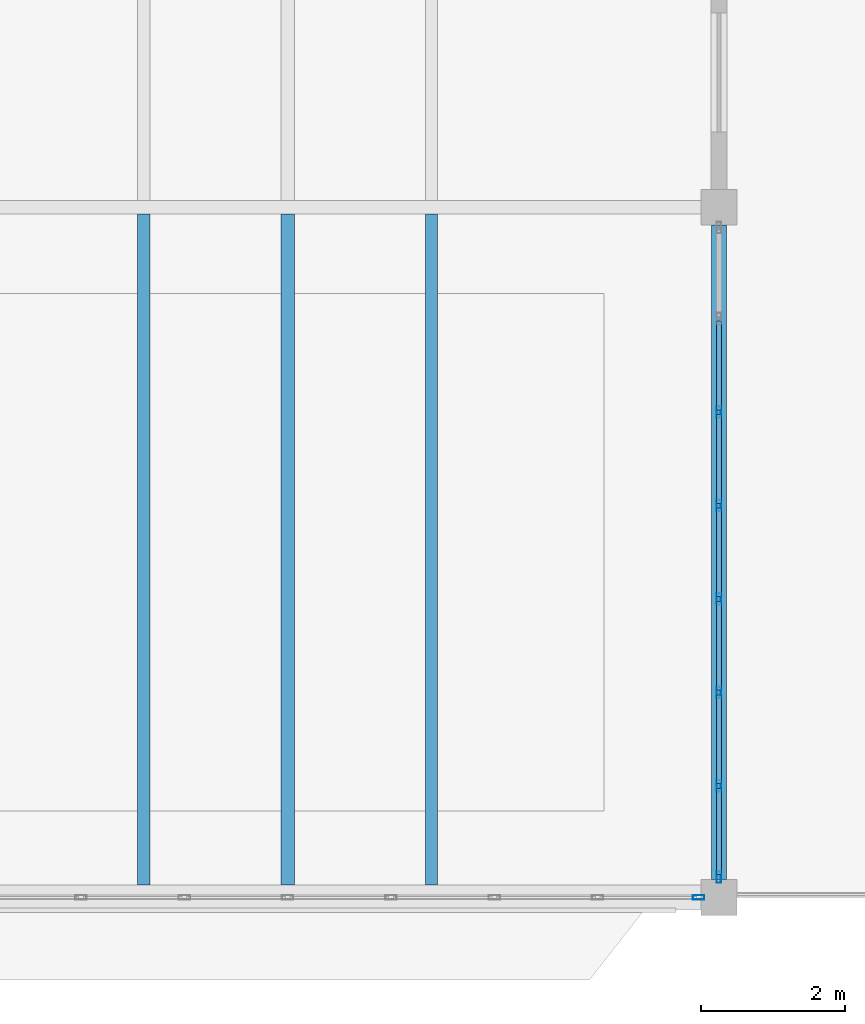
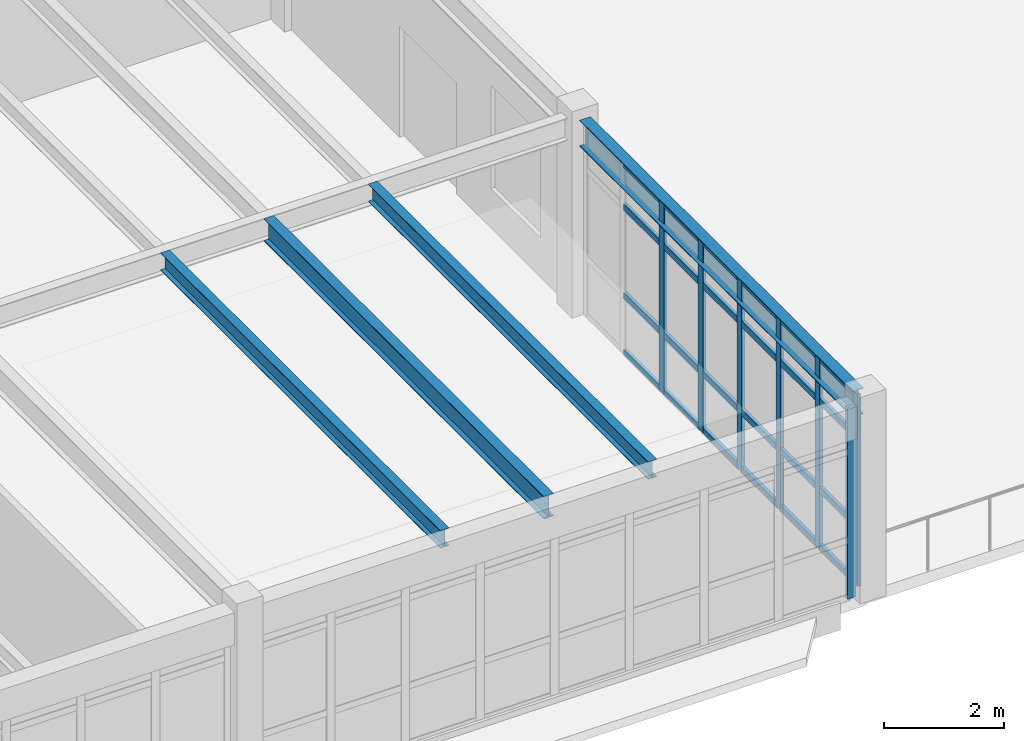
# One storey, part 12 of 83: 31 members, 4 beams, 2 elements without a shape of their own.
"""IFC4 building model written with IfcOpenShell, lengths in metres."""

from ifc_helpers import new_model, si_unit, direction, frame, origin, origin_2d, place, context, subcontext, project, spatial, hollow_rectangle, i_section, extrude, material, layer, layer_set, material_profile, profile_set, type_object, element, aggregate, save


model = new_model("IFC4")

# Units and contexts
model_context = context("Model", 3, precision=1e-05, world=origin(), true_north=direction((0.0, 1.0)))
body_context = subcontext(model_context, "Body", "Model", "MODEL_VIEW")
ifc_project = project(units=[si_unit("LENGTHUNIT", "METRE"), si_unit("AREAUNIT", "SQUARE_METRE"), si_unit("VOLUMEUNIT", "CUBIC_METRE"), si_unit("PLANEANGLEUNIT", "RADIAN"), si_unit("MASSUNIT", "GRAM", prefix="KILO")], contexts=[model_context])

# Site, building, storey
site_placement = place(None, origin())
site = spatial("IfcSite", under=ifc_project, at=site_placement, CompositionType="ELEMENT")
building_placement = place(site_placement, origin())
building = spatial("IfcBuilding", under=site, at=building_placement, Name="Pandanus Reach Market Hall", CompositionType="ELEMENT")
storey_placement = place(building_placement, frame((0.0, 0.0, 10.199951171875)))
storey = spatial("IfcBuildingStorey", under=building, at=storey_placement, Name="L02", CompositionType="ELEMENT", Elevation=10.199951171875)

# Beams
ifc_material_1 = material(Name="Steel Grade 350 (350 MPa)", Category="steel")
ifc_material_profile_1 = material_profile(ifc_material_1, i_section(OverallWidth=0.18994140625, OverallDepth=0.45703125, WebThickness=0.009033203125, FlangeThickness=0.014404296875, at=origin_2d()), Name="460UB74.6", Category="LoadBearing")
ifc_profile_set_1 = profile_set([ifc_material_profile_1], Name="Steel Grade 350 (350 MPa)")
beam_type_1 = type_object("IfcBeamType", Name="BM-UB460-I", PredefinedType="BEAM", material=ifc_profile_set_1)
beam_1_placement = place(storey_placement, frame((18.0, 0.173095703125, 3.75), z_axis=(0.0, 1.0, 0.0), x_axis=(-1.0, 0.0, 0.0)))
element("IfcBeam", 1, at=beam_1_placement, inside=storey, type_object=beam_type_1, Name="Food court valley beam B2.0", PredefinedType="BEAM", context=body_context, shape_type="SweptSolid", body=[
    extrude(i_section(OverallWidth=0.18994140625, OverallDepth=0.45703125, WebThickness=0.009033203125, FlangeThickness=0.014404296875, at=origin_2d()), origin(), (0.0, 0.0, 1.0), 9.333984375),
])
ifc_material_profile_2 = material_profile(ifc_material_1, i_section(OverallWidth=0.208984375, OverallDepth=0.532958984375, WebThickness=0.01025390625, FlangeThickness=0.015625, at=origin_2d()), Name="530UB92.4", Category="LoadBearing")
ifc_profile_set_2 = profile_set([ifc_material_profile_2], Name="Steel Grade 350 (350 MPa)")
beam_type_2 = type_object("IfcBeamType", Name="BM-UB530-I", PredefinedType="BEAM", material=ifc_profile_set_2)
beam_2_placement = place(storey_placement, frame((24.0, 0.248046875, 3.713134765625), z_axis=(0.0, 1.0, 0.0), x_axis=(-1.0, 0.0, 0.0)))
element("IfcBeam", 2, at=beam_2_placement, inside=storey, type_object=beam_type_2, Name="Framing beam BM-UB530-I L02.1025", PredefinedType="BEAM", context=body_context, shape_type="SweptSolid", body=[
    extrude(i_section(OverallWidth=0.208984375, OverallDepth=0.532958984375, WebThickness=0.01025390625, FlangeThickness=0.015625, at=origin_2d()), origin(), (0.0, 0.0, 1.0), 9.10400390625),
])

# Curtain wall, member
ifc_material_2 = material(Name="Bronze anodised aluminium and low-E glass", Category="aluminium")
ifc_layer_1 = layer(ifc_material_2, 0.159912109375, Name="CW-21")
ifc_layer_set_1 = layer_set([ifc_layer_1], Name="Bronze anodised aluminium and low-E glass")
curtain_wall_type_1 = type_object("IfcCurtainWallType", Name="CW-21", PredefinedType="NOTDEFINED", material=ifc_layer_set_1)
curtain_wall_1_placement = place(storey_placement, origin())
curtain_wall_1 = element("IfcCurtainWall", 3, at=curtain_wall_1_placement, inside=storey, type_object=curtain_wall_type_1, Name="Glazed curtain wall CW-21 CW-0064", PredefinedType="NOTDEFINED")
ifc_material_3 = material(Name="Bronze anodised aluminium", Category="aluminium")
ifc_material_profile_3 = material_profile(ifc_material_3, hollow_rectangle(XDim=0.06494140625, YDim=0.159912109375, WallThickness=0.00390625, at=origin_2d()), Name="ALU65x160", Category="LoadBearing")
ifc_profile_set_3 = profile_set([ifc_material_profile_3], Name="Bronze anodised aluminium")
member_type_1 = type_object("IfcMemberType", Name="CW-M1", PredefinedType="MULLION", material=ifc_profile_set_3)
member_1_placement = place(storey_placement, frame((23.717529296875, 0.0, 0.0), z_axis=(0.0, 0.0, 1.0), x_axis=(0.0, 1.0, 0.0)))
member_1 = element("IfcMember", 4, at=member_1_placement, type_object=member_type_1, Name="CW-21 mullion 9", PredefinedType="MULLION", context=body_context, shape_type="SweptSolid", body=[
    extrude(hollow_rectangle(XDim=0.06494140625, YDim=0.159912109375, WallThickness=0.00390625, at=origin_2d()), origin(), (0.0, 0.0, 1.0), 3.900146484375),
])
aggregate(curtain_wall_1, [member_1])

# Curtain wall, members
ifc_layer_2 = layer(ifc_material_2, 0.159912109375, Name="CW-24")
ifc_layer_set_2 = layer_set([ifc_layer_2], Name="Bronze anodised aluminium and low-E glass")
curtain_wall_type_2 = type_object("IfcCurtainWallType", Name="CW-24", PredefinedType="NOTDEFINED", material=ifc_layer_set_2)
curtain_wall_2_placement = place(storey_placement, origin())
curtain_wall_2 = element("IfcCurtainWall", 5, at=curtain_wall_2_placement, inside=storey, type_object=curtain_wall_type_2, Name="Glazed curtain wall CW-24 CW-0068", PredefinedType="NOTDEFINED")
member_2_placement = place(storey_placement, frame((24.0, 0.282470703125, 0.0), z_axis=(0.0, 0.0, 1.0), x_axis=(-1.0, 0.0, 0.0)))
member_2 = element("IfcMember", 6, at=member_2_placement, type_object=member_type_1, Name="CW-24 mullion 1", PredefinedType="MULLION", context=body_context, shape_type="SweptSolid", body=[
    extrude(hollow_rectangle(XDim=0.06494140625, YDim=0.159912109375, WallThickness=0.00390625, at=origin_2d()), origin(), (0.0, 0.0, 1.0), 3.900146484375),
])
member_3_placement = place(storey_placement, frame((24.0, 1.550048828125, 0.0), z_axis=(0.0, 0.0, 1.0), x_axis=(-1.0, 0.0, 0.0)))
member_3 = element("IfcMember", 7, at=member_3_placement, type_object=member_type_1, Name="CW-24 mullion 2", PredefinedType="MULLION", context=body_context, shape_type="SweptSolid", body=[
    extrude(hollow_rectangle(XDim=0.06494140625, YDim=0.159912109375, WallThickness=0.00390625, at=origin_2d()), origin(), (0.0, 0.0, 1.0), 3.900146484375),
])
member_4_placement = place(storey_placement, frame((24.0, 2.85009765625, 0.0), z_axis=(0.0, 0.0, 1.0), x_axis=(-1.0, 0.0, 0.0)))
member_4 = element("IfcMember", 8, at=member_4_placement, type_object=member_type_1, Name="CW-24 mullion 3", PredefinedType="MULLION", context=body_context, shape_type="SweptSolid", body=[
    extrude(hollow_rectangle(XDim=0.06494140625, YDim=0.159912109375, WallThickness=0.00390625, at=origin_2d()), origin(), (0.0, 0.0, 1.0), 3.900146484375),
])
member_5_placement = place(storey_placement, frame((24.0, 4.14990234375, 0.0), z_axis=(0.0, 0.0, 1.0), x_axis=(-1.0, 0.0, 0.0)))
member_5 = element("IfcMember", 9, at=member_5_placement, type_object=member_type_1, Name="CW-24 mullion 4", PredefinedType="MULLION", context=body_context, shape_type="SweptSolid", body=[
    extrude(hollow_rectangle(XDim=0.06494140625, YDim=0.159912109375, WallThickness=0.00390625, at=origin_2d()), origin(), (0.0, 0.0, 1.0), 3.900146484375),
])
member_6_placement = place(storey_placement, frame((24.0, 5.449951171875, 0.0), z_axis=(0.0, 0.0, 1.0), x_axis=(-1.0, 0.0, 0.0)))
member_6 = element("IfcMember", 10, at=member_6_placement, type_object=member_type_1, Name="CW-24 mullion 5", PredefinedType="MULLION", context=body_context, shape_type="SweptSolid", body=[
    extrude(hollow_rectangle(XDim=0.06494140625, YDim=0.159912109375, WallThickness=0.00390625, at=origin_2d()), origin(), (0.0, 0.0, 1.0), 3.900146484375),
])
member_7_placement = place(storey_placement, frame((24.0, 6.75, 0.0), z_axis=(0.0, 0.0, 1.0), x_axis=(-1.0, 0.0, 0.0)))
member_7 = element("IfcMember", 11, at=member_7_placement, type_object=member_type_1, Name="CW-24 mullion 6", PredefinedType="MULLION", context=body_context, shape_type="SweptSolid", body=[
    extrude(hollow_rectangle(XDim=0.06494140625, YDim=0.159912109375, WallThickness=0.00390625, at=origin_2d()), origin(), (0.0, 0.0, 1.0), 3.900146484375),
])
ifc_material_profile_4 = material_profile(ifc_material_3, hollow_rectangle(XDim=0.06494140625, YDim=0.1298828125, WallThickness=0.00390625, at=origin_2d()), Name="ALU65x130", Category="LoadBearing")
ifc_profile_set_4 = profile_set([ifc_material_profile_4], Name="Bronze anodised aluminium")
member_type_2 = type_object("IfcMemberType", Name="CW-T1", PredefinedType="USERDEFINED", material=ifc_profile_set_4)
member_8_placement = place(storey_placement, frame((24.0, 0.31494140625, 0.032470703125), z_axis=(0.0, 1.0, 0.0), x_axis=(-1.0, 0.0, 0.0)))
member_8 = element("IfcMember", 12, at=member_8_placement, type_object=member_type_2, Name="CW-24 transom 1.1", ObjectType="TRANSOM", PredefinedType="USERDEFINED", context=body_context, shape_type="SweptSolid", body=[
    extrude(hollow_rectangle(XDim=0.06494140625, YDim=0.1298828125, WallThickness=0.00390625, at=origin_2d()), origin(), (0.0, 0.0, 1.0), 1.20263671875),
])
member_9_placement = place(storey_placement, frame((24.0, 0.31494140625, 1.199951171875), z_axis=(0.0, 1.0, 0.0), x_axis=(-1.0, 0.0, 0.0)))
member_9 = element("IfcMember", 13, at=member_9_placement, type_object=member_type_2, Name="CW-24 transom 1.2", ObjectType="TRANSOM", PredefinedType="USERDEFINED", context=body_context, shape_type="SweptSolid", body=[
    extrude(hollow_rectangle(XDim=0.06494140625, YDim=0.1298828125, WallThickness=0.00390625, at=origin_2d()), origin(), (0.0, 0.0, 1.0), 1.20263671875),
])
member_10_placement = place(storey_placement, frame((24.0, 0.31494140625, 3.0), z_axis=(0.0, 1.0, 0.0), x_axis=(-1.0, 0.0, 0.0)))
member_10 = element("IfcMember", 14, at=member_10_placement, type_object=member_type_2, Name="CW-24 transom 1.3", ObjectType="TRANSOM", PredefinedType="USERDEFINED", context=body_context, shape_type="SweptSolid", body=[
    extrude(hollow_rectangle(XDim=0.06494140625, YDim=0.1298828125, WallThickness=0.00390625, at=origin_2d()), origin(), (0.0, 0.0, 1.0), 1.20263671875),
])
member_11_placement = place(storey_placement, frame((24.0, 0.31494140625, 3.867431640625), z_axis=(0.0, 1.0, 0.0), x_axis=(-1.0, 0.0, 0.0)))
member_11 = element("IfcMember", 15, at=member_11_placement, type_object=member_type_2, Name="CW-24 transom 1.4", ObjectType="TRANSOM", PredefinedType="USERDEFINED", context=body_context, shape_type="SweptSolid", body=[
    extrude(hollow_rectangle(XDim=0.06494140625, YDim=0.1298828125, WallThickness=0.00390625, at=origin_2d()), origin(), (0.0, 0.0, 1.0), 1.20263671875),
])
member_12_placement = place(storey_placement, frame((24.0, 1.58251953125, 0.032470703125), z_axis=(0.0, 1.0, 0.0), x_axis=(-1.0, 0.0, 0.0)))
member_12 = element("IfcMember", 16, at=member_12_placement, type_object=member_type_2, Name="CW-24 transom 2.1", ObjectType="TRANSOM", PredefinedType="USERDEFINED", context=body_context, shape_type="SweptSolid", body=[
    extrude(hollow_rectangle(XDim=0.06494140625, YDim=0.1298828125, WallThickness=0.00390625, at=origin_2d()), origin(), (0.0, 0.0, 1.0), 1.23486328125),
])
member_13_placement = place(storey_placement, frame((24.0, 1.58251953125, 1.199951171875), z_axis=(0.0, 1.0, 0.0), x_axis=(-1.0, 0.0, 0.0)))
member_13 = element("IfcMember", 17, at=member_13_placement, type_object=member_type_2, Name="CW-24 transom 2.2", ObjectType="TRANSOM", PredefinedType="USERDEFINED", context=body_context, shape_type="SweptSolid", body=[
    extrude(hollow_rectangle(XDim=0.06494140625, YDim=0.1298828125, WallThickness=0.00390625, at=origin_2d()), origin(), (0.0, 0.0, 1.0), 1.23486328125),
])
member_14_placement = place(storey_placement, frame((24.0, 1.58251953125, 3.0), z_axis=(0.0, 1.0, 0.0), x_axis=(-1.0, 0.0, 0.0)))
member_14 = element("IfcMember", 18, at=member_14_placement, type_object=member_type_2, Name="CW-24 transom 2.3", ObjectType="TRANSOM", PredefinedType="USERDEFINED", context=body_context, shape_type="SweptSolid", body=[
    extrude(hollow_rectangle(XDim=0.06494140625, YDim=0.1298828125, WallThickness=0.00390625, at=origin_2d()), origin(), (0.0, 0.0, 1.0), 1.23486328125),
])
member_15_placement = place(storey_placement, frame((24.0, 1.58251953125, 3.867431640625), z_axis=(0.0, 1.0, 0.0), x_axis=(-1.0, 0.0, 0.0)))
member_15 = element("IfcMember", 19, at=member_15_placement, type_object=member_type_2, Name="CW-24 transom 2.4", ObjectType="TRANSOM", PredefinedType="USERDEFINED", context=body_context, shape_type="SweptSolid", body=[
    extrude(hollow_rectangle(XDim=0.06494140625, YDim=0.1298828125, WallThickness=0.00390625, at=origin_2d()), origin(), (0.0, 0.0, 1.0), 1.23486328125),
])
member_16_placement = place(storey_placement, frame((24.0, 2.882568359375, 0.032470703125), z_axis=(0.0, 1.0, 0.0), x_axis=(-1.0, 0.0, 0.0)))
member_16 = element("IfcMember", 20, at=member_16_placement, type_object=member_type_2, Name="CW-24 transom 3.1", ObjectType="TRANSOM", PredefinedType="USERDEFINED", context=body_context, shape_type="SweptSolid", body=[
    extrude(hollow_rectangle(XDim=0.06494140625, YDim=0.1298828125, WallThickness=0.00390625, at=origin_2d()), origin(), (0.0, 0.0, 1.0), 1.23486328125),
])
member_17_placement = place(storey_placement, frame((24.0, 2.882568359375, 1.199951171875), z_axis=(0.0, 1.0, 0.0), x_axis=(-1.0, 0.0, 0.0)))
member_17 = element("IfcMember", 21, at=member_17_placement, type_object=member_type_2, Name="CW-24 transom 3.2", ObjectType="TRANSOM", PredefinedType="USERDEFINED", context=body_context, shape_type="SweptSolid", body=[
    extrude(hollow_rectangle(XDim=0.06494140625, YDim=0.1298828125, WallThickness=0.00390625, at=origin_2d()), origin(), (0.0, 0.0, 1.0), 1.23486328125),
])
member_18_placement = place(storey_placement, frame((24.0, 2.882568359375, 3.0), z_axis=(0.0, 1.0, 0.0), x_axis=(-1.0, 0.0, 0.0)))
member_18 = element("IfcMember", 22, at=member_18_placement, type_object=member_type_2, Name="CW-24 transom 3.3", ObjectType="TRANSOM", PredefinedType="USERDEFINED", context=body_context, shape_type="SweptSolid", body=[
    extrude(hollow_rectangle(XDim=0.06494140625, YDim=0.1298828125, WallThickness=0.00390625, at=origin_2d()), origin(), (0.0, 0.0, 1.0), 1.23486328125),
])
member_19_placement = place(storey_placement, frame((24.0, 2.882568359375, 3.867431640625), z_axis=(0.0, 1.0, 0.0), x_axis=(-1.0, 0.0, 0.0)))
member_19 = element("IfcMember", 23, at=member_19_placement, type_object=member_type_2, Name="CW-24 transom 3.4", ObjectType="TRANSOM", PredefinedType="USERDEFINED", context=body_context, shape_type="SweptSolid", body=[
    extrude(hollow_rectangle(XDim=0.06494140625, YDim=0.1298828125, WallThickness=0.00390625, at=origin_2d()), origin(), (0.0, 0.0, 1.0), 1.23486328125),
])
member_20_placement = place(storey_placement, frame((24.0, 4.1826171875, 0.032470703125), z_axis=(0.0, 1.0, 0.0), x_axis=(-1.0, 0.0, 0.0)))
member_20 = element("IfcMember", 24, at=member_20_placement, type_object=member_type_2, Name="CW-24 transom 4.1", ObjectType="TRANSOM", PredefinedType="USERDEFINED", context=body_context, shape_type="SweptSolid", body=[
    extrude(hollow_rectangle(XDim=0.06494140625, YDim=0.1298828125, WallThickness=0.00390625, at=origin_2d()), origin(), (0.0, 0.0, 1.0), 1.23486328125),
])
member_21_placement = place(storey_placement, frame((24.0, 4.1826171875, 1.199951171875), z_axis=(0.0, 1.0, 0.0), x_axis=(-1.0, 0.0, 0.0)))
member_21 = element("IfcMember", 25, at=member_21_placement, type_object=member_type_2, Name="CW-24 transom 4.2", ObjectType="TRANSOM", PredefinedType="USERDEFINED", context=body_context, shape_type="SweptSolid", body=[
    extrude(hollow_rectangle(XDim=0.06494140625, YDim=0.1298828125, WallThickness=0.00390625, at=origin_2d()), origin(), (0.0, 0.0, 1.0), 1.23486328125),
])
member_22_placement = place(storey_placement, frame((24.0, 4.1826171875, 3.0), z_axis=(0.0, 1.0, 0.0), x_axis=(-1.0, 0.0, 0.0)))
member_22 = element("IfcMember", 26, at=member_22_placement, type_object=member_type_2, Name="CW-24 transom 4.3", ObjectType="TRANSOM", PredefinedType="USERDEFINED", context=body_context, shape_type="SweptSolid", body=[
    extrude(hollow_rectangle(XDim=0.06494140625, YDim=0.1298828125, WallThickness=0.00390625, at=origin_2d()), origin(), (0.0, 0.0, 1.0), 1.23486328125),
])
member_23_placement = place(storey_placement, frame((24.0, 4.1826171875, 3.867431640625), z_axis=(0.0, 1.0, 0.0), x_axis=(-1.0, 0.0, 0.0)))
member_23 = element("IfcMember", 27, at=member_23_placement, type_object=member_type_2, Name="CW-24 transom 4.4", ObjectType="TRANSOM", PredefinedType="USERDEFINED", context=body_context, shape_type="SweptSolid", body=[
    extrude(hollow_rectangle(XDim=0.06494140625, YDim=0.1298828125, WallThickness=0.00390625, at=origin_2d()), origin(), (0.0, 0.0, 1.0), 1.23486328125),
])
member_24_placement = place(storey_placement, frame((24.0, 5.482421875, 0.032470703125), z_axis=(0.0, 1.0, 0.0), x_axis=(-1.0, 0.0, 0.0)))
member_24 = element("IfcMember", 28, at=member_24_placement, type_object=member_type_2, Name="CW-24 transom 5.1", ObjectType="TRANSOM", PredefinedType="USERDEFINED", context=body_context, shape_type="SweptSolid", body=[
    extrude(hollow_rectangle(XDim=0.06494140625, YDim=0.1298828125, WallThickness=0.00390625, at=origin_2d()), origin(), (0.0, 0.0, 1.0), 1.235107421875),
])
member_25_placement = place(storey_placement, frame((24.0, 5.482421875, 1.199951171875), z_axis=(0.0, 1.0, 0.0), x_axis=(-1.0, 0.0, 0.0)))
member_25 = element("IfcMember", 29, at=member_25_placement, type_object=member_type_2, Name="CW-24 transom 5.2", ObjectType="TRANSOM", PredefinedType="USERDEFINED", context=body_context, shape_type="SweptSolid", body=[
    extrude(hollow_rectangle(XDim=0.06494140625, YDim=0.1298828125, WallThickness=0.00390625, at=origin_2d()), origin(), (0.0, 0.0, 1.0), 1.235107421875),
])
member_26_placement = place(storey_placement, frame((24.0, 5.482421875, 3.0), z_axis=(0.0, 1.0, 0.0), x_axis=(-1.0, 0.0, 0.0)))
member_26 = element("IfcMember", 30, at=member_26_placement, type_object=member_type_2, Name="CW-24 transom 5.3", ObjectType="TRANSOM", PredefinedType="USERDEFINED", context=body_context, shape_type="SweptSolid", body=[
    extrude(hollow_rectangle(XDim=0.06494140625, YDim=0.1298828125, WallThickness=0.00390625, at=origin_2d()), origin(), (0.0, 0.0, 1.0), 1.235107421875),
])
member_27_placement = place(storey_placement, frame((24.0, 5.482421875, 3.867431640625), z_axis=(0.0, 1.0, 0.0), x_axis=(-1.0, 0.0, 0.0)))
member_27 = element("IfcMember", 31, at=member_27_placement, type_object=member_type_2, Name="CW-24 transom 5.4", ObjectType="TRANSOM", PredefinedType="USERDEFINED", context=body_context, shape_type="SweptSolid", body=[
    extrude(hollow_rectangle(XDim=0.06494140625, YDim=0.1298828125, WallThickness=0.00390625, at=origin_2d()), origin(), (0.0, 0.0, 1.0), 1.235107421875),
])
member_28_placement = place(storey_placement, frame((24.0, 6.782470703125, 0.032470703125), z_axis=(0.0, 1.0, 0.0), x_axis=(-1.0, 0.0, 0.0)))
member_28 = element("IfcMember", 32, at=member_28_placement, type_object=member_type_2, Name="CW-24 transom 6.1", ObjectType="TRANSOM", PredefinedType="USERDEFINED", context=body_context, shape_type="SweptSolid", body=[
    extrude(hollow_rectangle(XDim=0.06494140625, YDim=0.1298828125, WallThickness=0.00390625, at=origin_2d()), origin(), (0.0, 0.0, 1.0), 1.235107421875),
])
member_29_placement = place(storey_placement, frame((24.0, 6.782470703125, 1.199951171875), z_axis=(0.0, 1.0, 0.0), x_axis=(-1.0, 0.0, 0.0)))
member_29 = element("IfcMember", 33, at=member_29_placement, type_object=member_type_2, Name="CW-24 transom 6.2", ObjectType="TRANSOM", PredefinedType="USERDEFINED", context=body_context, shape_type="SweptSolid", body=[
    extrude(hollow_rectangle(XDim=0.06494140625, YDim=0.1298828125, WallThickness=0.00390625, at=origin_2d()), origin(), (0.0, 0.0, 1.0), 1.235107421875),
])
member_30_placement = place(storey_placement, frame((24.0, 6.782470703125, 3.0), z_axis=(0.0, 1.0, 0.0), x_axis=(-1.0, 0.0, 0.0)))
member_30 = element("IfcMember", 34, at=member_30_placement, type_object=member_type_2, Name="CW-24 transom 6.3", ObjectType="TRANSOM", PredefinedType="USERDEFINED", context=body_context, shape_type="SweptSolid", body=[
    extrude(hollow_rectangle(XDim=0.06494140625, YDim=0.1298828125, WallThickness=0.00390625, at=origin_2d()), origin(), (0.0, 0.0, 1.0), 1.235107421875),
])
member_31_placement = place(storey_placement, frame((24.0, 6.782470703125, 3.867431640625), z_axis=(0.0, 1.0, 0.0), x_axis=(-1.0, 0.0, 0.0)))
member_31 = element("IfcMember", 35, at=member_31_placement, type_object=member_type_2, Name="CW-24 transom 6.4", ObjectType="TRANSOM", PredefinedType="USERDEFINED", context=body_context, shape_type="SweptSolid", body=[
    extrude(hollow_rectangle(XDim=0.06494140625, YDim=0.1298828125, WallThickness=0.00390625, at=origin_2d()), origin(), (0.0, 0.0, 1.0), 1.235107421875),
])
aggregate(curtain_wall_2, [member_2, member_3, member_4, member_5, member_6, member_7, member_8, member_9, member_10, member_11, member_12, member_13, member_14, member_15, member_16, member_17, member_18, member_19, member_20, member_21, member_22, member_23, member_24, member_25, member_26, member_27, member_28, member_29, member_30, member_31])

# Beams
ifc_material_profile_5 = material_profile(ifc_material_1, i_section(OverallWidth=0.1708984375, OverallDepth=0.35595703125, WebThickness=0.00732421875, FlangeThickness=0.011474609375, at=origin_2d()), Name="360UB50.7", Category="LoadBearing")
ifc_profile_set_5 = profile_set([ifc_material_profile_5], Name="Steel Grade 350 (350 MPa)")
beam_type_3 = type_object("IfcBeamType", Name="JS-UB360-I", PredefinedType="JOIST", material=ifc_profile_set_5)
for number, where, z_axis, x_axis, name in (
    (36, (16.0, 0.173095703125, 3.8017578125), (0.0, 1.0, 0.0), (-1.0, 0.0, 0.0), "Secondary joist JS-UB360-I L02.1032"),
    (37, (20.0, 0.173095703125, 3.8017578125), (0.0, 1.0, 0.0), (-1.0, 0.0, 0.0), "Secondary joist JS-UB360-I L02.1033"),
):
    element("IfcBeam", number, at=place(storey_placement, frame(where, z_axis=z_axis, x_axis=x_axis)), inside=storey, type_object=beam_type_3, Name=name, PredefinedType="JOIST", context=body_context, shape_type="SweptSolid", body=[
        extrude(i_section(OverallWidth=0.1708984375, OverallDepth=0.35595703125, WebThickness=0.00732421875, FlangeThickness=0.011474609375, at=origin_2d()), origin(), (0.0, 0.0, 1.0), 9.333984375),
    ])

save(model, "model.ifc")
